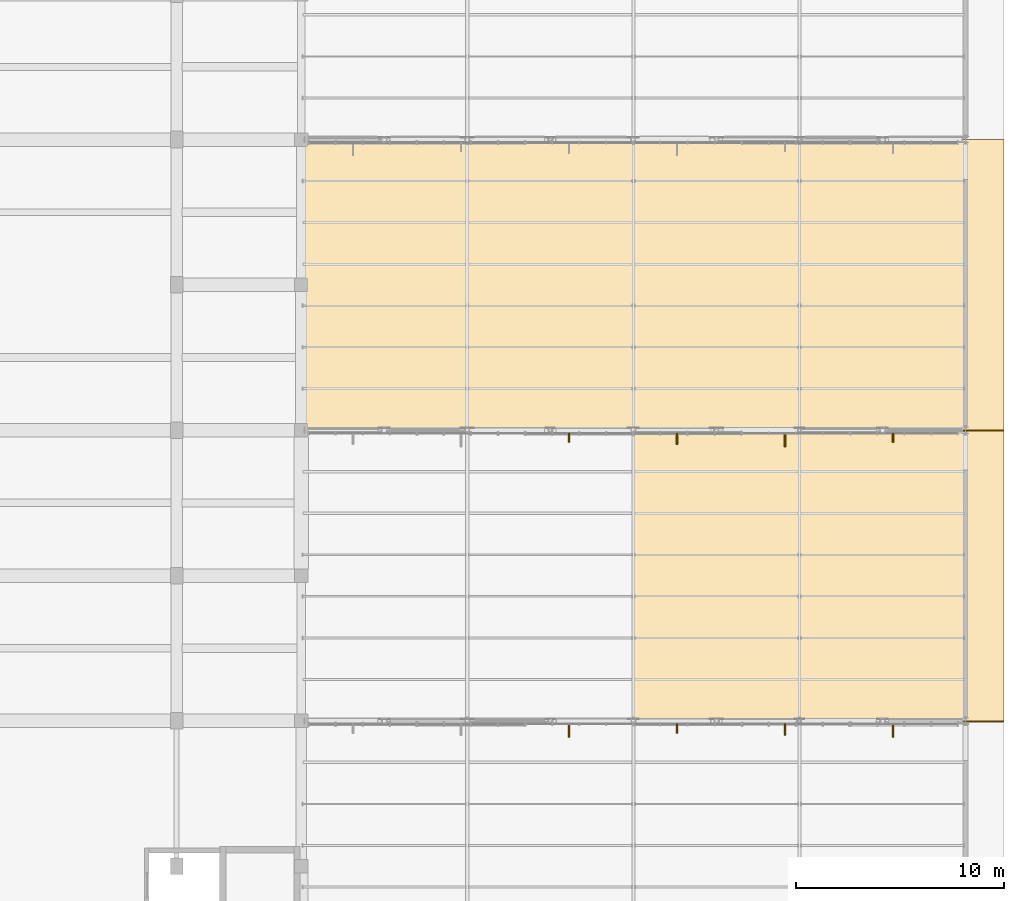
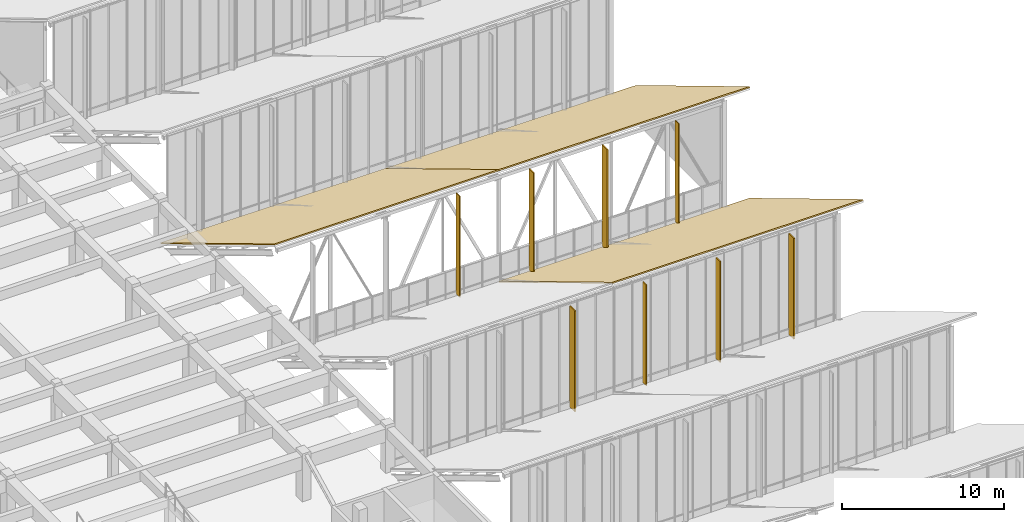
# One storey, part 152 of 155: 8 shading devices, 3 coverings.
"""IFC4 building model written with IfcOpenShell, lengths in metres."""

from ifc_helpers import new_model, si_unit, direction, frame, origin, origin_2d, place, context, subcontext, project, spatial, polyline, rectangle, outline, extrude, material, layer, layer_set, type_object, element, save


model = new_model("IFC4")

# Units and contexts
model_context = context("Model", 3, precision=1e-05, world=origin(), true_north=direction((0.0, 1.0)))
body_context = subcontext(model_context, "Body", "Model", "MODEL_VIEW")
ifc_project = project(units=[si_unit("LENGTHUNIT", "METRE"), si_unit("AREAUNIT", "SQUARE_METRE"), si_unit("VOLUMEUNIT", "CUBIC_METRE"), si_unit("PLANEANGLEUNIT", "RADIAN"), si_unit("MASSUNIT", "GRAM", prefix="KILO")], contexts=[model_context])

# Site, building, storey
site_placement = place(None, origin())
site = spatial("IfcSite", under=ifc_project, at=site_placement, CompositionType="ELEMENT")
building_placement = place(site_placement, origin())
building = spatial("IfcBuilding", under=site, at=building_placement, Name="Larkveld Mobility Hub", CompositionType="ELEMENT")
storey_placement = place(building_placement, frame((0.0, 0.0, 8.39990234375)))
storey = spatial("IfcBuildingStorey", under=building, at=storey_placement, Name="L02", CompositionType="ELEMENT", Elevation=8.39990234375)

# Coverings
ifc_material_1 = material(Name="Standing-seam zinc-alume roofing", Category="aluminium")
ifc_layer_1 = layer(ifc_material_1, 0.080078125, Name="Standing-seam zinc-alume roofing", Category="aluminium")
ifc_layer_set_1 = layer_set([ifc_layer_1], Name="Standing-seam zinc-alume roofing")
covering_type = type_object("IfcCoveringType", Name="COV-RFG-01", PredefinedType="ROOFING", material=ifc_layer_set_1)
covering_1_placement = place(storey_placement, frame((168.0, 70.0, 8.482177734375), z_axis=(0.0, 0.51450235251, 0.857488967429), x_axis=(1.0, 0.0, 0.0)))
element("IfcCovering", 1, at=covering_1_placement, inside=storey, type_object=covering_type, Name="Sawtooth Standing-Seam Metal Roof B4.2", PredefinedType="ROOFING", context=body_context, shape_type="SweptSolid", body=[
    extrude(outline(polyline([(0.0, 0.0), (17.85009765625, 0.0), (17.85009765625, 16.3267406716392), (0.0, 16.3267406716392), (0.0, 0.0)])), origin(), (0.0, 0.0, -1.0), 0.080078125),
])
covering_2_placement = place(storey_placement, frame((152.0, 84.0, 8.482177734375), z_axis=(0.0, 0.51450235251, 0.857488967429), x_axis=(1.0, 0.0, 0.0)))
element("IfcCovering", 2, at=covering_2_placement, inside=storey, type_object=covering_type, Name="Sawtooth Standing-Seam Metal Roof B5.1", PredefinedType="ROOFING", context=body_context, shape_type="SweptSolid", body=[
    extrude(outline(polyline([(0.0, 0.0), (16.0, 0.0), (16.0, 16.326740671639204), (0.0, 16.326740671639204), (0.0, 0.0)])), origin(), (0.0, 0.0, -1.0), 0.080078125),
])
covering_3_placement = place(storey_placement, frame((168.0, 84.0, 8.482177734375), z_axis=(0.0, 0.51450235251, 0.857488967429), x_axis=(1.0, 0.0, 0.0)))
element("IfcCovering", 3, at=covering_3_placement, inside=storey, type_object=covering_type, Name="Sawtooth Standing-Seam Metal Roof B5.2", PredefinedType="ROOFING", context=body_context, shape_type="SweptSolid", body=[
    extrude(outline(polyline([(0.0, 0.0), (17.85009765625, 0.0), (17.85009765625, 16.3267406716392), (0.0, 16.3267406716392), (0.0, 0.0)])), origin(), (0.0, 0.0, -1.0), 0.080078125),
])

# Shading devices
ifc_material_2 = material(Name="Precast concrete C50/60", Category="concrete")
ifc_layer_2 = layer(ifc_material_2, 0.06494140625, Name="Precast concrete C50/60", Category="concrete")
ifc_layer_set_2 = layer_set([ifc_layer_2], Name="Precast concrete C50/60")
shading_device_type_1 = type_object("IfcShadingDeviceType", Name="SHD-JAL-01", PredefinedType="JALOUSIE", material=ifc_layer_set_2)
for number, where, z_axis, x_axis, name in (
    (4, (170.10009765625, 69.639892578125, 0.300048828125), (0.0, 0.0, 1.0), (1.0, 0.0, 0.0), "Sawtooth South-Light Brise-Soleil Fin SF-022"),
    (5, (164.89990234375, 83.639892578125, 0.300048828125), (0.0, 0.0, 1.0), (1.0, 0.0, 0.0), "Sawtooth South-Light Brise-Soleil Fin SF-027"),
    (6, (180.5, 83.639892578125, 0.300048828125), (0.0, 0.0, 1.0), (1.0, 0.0, 0.0), "Sawtooth South-Light Brise-Soleil Fin SF-030"),
):
    element("IfcShadingDevice", number, at=place(storey_placement, frame(where, z_axis=z_axis, x_axis=x_axis)), inside=storey, type_object=shading_device_type_1, Name=name, PredefinedType="JALOUSIE", context=body_context, shape_type="SweptSolid", body=[
        extrude(rectangle(XDim=0.06494140625, YDim=0.449951171875, at=origin_2d()), origin(), (0.0, 0.0, 1.0), 7.60009765625),
    ])
ifc_layer_3 = layer(ifc_material_2, 0.074951171875, Name="Precast concrete C50/60", Category="concrete")
ifc_layer_set_3 = layer_set([ifc_layer_3], Name="Precast concrete C50/60")
shading_device_type_2 = type_object("IfcShadingDeviceType", Name="SHD-JAL-02", PredefinedType="JALOUSIE", material=ifc_layer_set_3)
for number, where, z_axis, x_axis, name in (
    (7, (175.300048828125, 69.590087890625, 0.300048828125), (0.0, 0.0, 1.0), (1.0, 0.0, 0.0), "Sawtooth South-Light Brise-Soleil Fin SF-023"),
    (8, (170.10009765625, 83.590087890625, 0.300048828125), (0.0, 0.0, 1.0), (1.0, 0.0, 0.0), "Sawtooth South-Light Brise-Soleil Fin SF-028"),
):
    element("IfcShadingDevice", number, at=place(storey_placement, frame(where, z_axis=z_axis, x_axis=x_axis)), inside=storey, type_object=shading_device_type_2, Name=name, PredefinedType="JALOUSIE", context=body_context, shape_type="SweptSolid", body=[
        extrude(rectangle(XDim=0.074951171875, YDim=0.550048828125, at=origin_2d()), origin(), (0.0, 0.0, 1.0), 7.60009765625),
    ])
ifc_layer_4 = layer(ifc_material_2, 0.0849609375, Name="Precast concrete C50/60", Category="concrete")
ifc_layer_set_4 = layer_set([ifc_layer_4], Name="Precast concrete C50/60")
shading_device_type_3 = type_object("IfcShadingDeviceType", Name="SHD-JAL-03", PredefinedType="JALOUSIE", material=ifc_layer_set_4)
for number, where, z_axis, x_axis, name in (
    (9, (164.89990234375, 69.5400390625, 0.300048828125), (0.0, 0.0, 1.0), (1.0, 0.0, 0.0), "Sawtooth South-Light Brise-Soleil Fin SF-021"),
    (10, (180.5, 69.5400390625, 0.300048828125), (0.0, 0.0, 1.0), (1.0, 0.0, 0.0), "Sawtooth South-Light Brise-Soleil Fin SF-024"),
    (11, (175.300048828125, 83.5400390625, 0.300048828125), (0.0, 0.0, 1.0), (1.0, 0.0, 0.0), "Sawtooth South-Light Brise-Soleil Fin SF-029"),
):
    element("IfcShadingDevice", number, at=place(storey_placement, frame(where, z_axis=z_axis, x_axis=x_axis)), inside=storey, type_object=shading_device_type_3, Name=name, PredefinedType="JALOUSIE", context=body_context, shape_type="SweptSolid", body=[
        extrude(rectangle(XDim=0.0849609375, YDim=0.64990234375, at=origin_2d()), origin(), (0.0, 0.0, 1.0), 7.60009765625),
    ])

save(model, "model.ifc")
